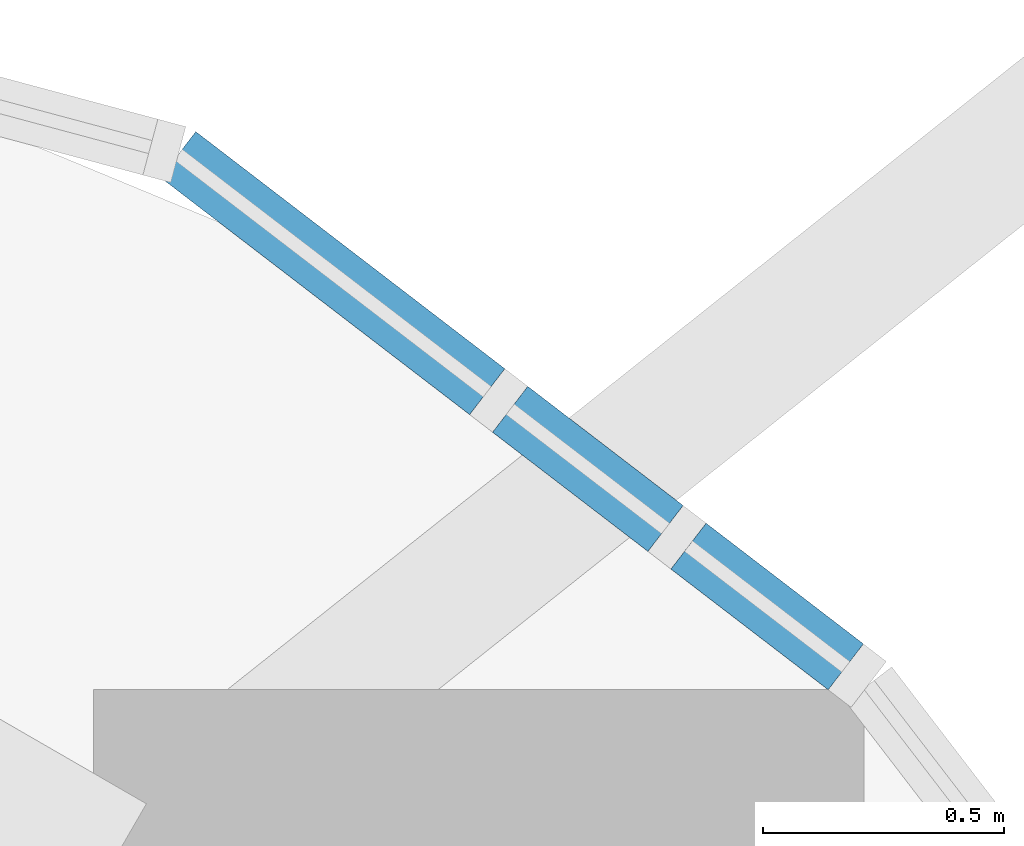
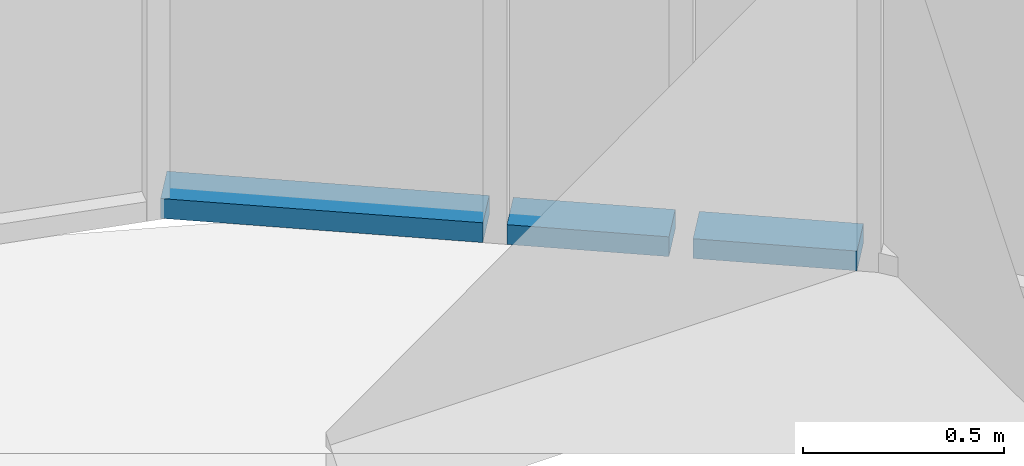
# One storey, part 17 of 33: 3 members, 3 elements without a shape of their own.
"""IFC4 building model written with IfcOpenShell, lengths in metres."""

from ifc_helpers import new_model, si_unit, direction, frame, origin, origin_2d, place, context, subcontext, project, spatial, rectangle, extrude, material, layer, layer_set, material_profile, profile_set, type_object, element, aggregate, save


model = new_model("IFC4")

# Units and contexts
model_context = context("Model", 3, precision=1e-05, world=origin(), true_north=direction((0.0, 1.0)))
body_context = subcontext(model_context, "Body", "Model", "MODEL_VIEW")
ifc_project = project(units=[si_unit("LENGTHUNIT", "METRE"), si_unit("AREAUNIT", "SQUARE_METRE"), si_unit("VOLUMEUNIT", "CUBIC_METRE"), si_unit("PLANEANGLEUNIT", "RADIAN"), si_unit("MASSUNIT", "GRAM", prefix="KILO")], contexts=[model_context])

# Site, building, storey
site_placement = place(None, origin())
site = spatial("IfcSite", under=ifc_project, at=site_placement, CompositionType="ELEMENT")
building_placement = place(site_placement, origin())
building = spatial("IfcBuilding", under=site, at=building_placement, Name="Marenta Gate Hotel Tower", CompositionType="ELEMENT")
storey_placement = place(building_placement, frame((0.0, 0.0, 108.5)))
storey = spatial("IfcBuildingStorey", under=building, at=storey_placement, Name="L23", CompositionType="ELEMENT", Elevation=108.5)

# Curtain wall, member
ifc_material_1 = material(Name="Tinted insulated glass in bronze anodised frame", Category="glass")
ifc_layer = layer(ifc_material_1, 0.1201171875)
ifc_layer_set = layer_set([ifc_layer], Name="Tinted insulated glass in bronze anodised frame")
curtain_wall_type = type_object("IfcCurtainWallType", Name="Tower unitised curtain wall CW1", PredefinedType="NOTDEFINED", material=ifc_layer_set)
curtain_wall_1_placement = place(storey_placement, origin())
curtain_wall_1 = element("IfcCurtainWall", 1, at=curtain_wall_1_placement, inside=storey, type_object=curtain_wall_type, Name="CW1 run G22", PredefinedType="NOTDEFINED")
ifc_material_2 = material(Name="Bronze anodised aluminium", Category="aluminium")
ifc_material_profile = material_profile(ifc_material_2, rectangle(XDim=0.1201171875, YDim=0.06005859375, at=origin_2d()), Name="Transom CW1 60x120 bronze anodised aluminium")
ifc_profile_set = profile_set([ifc_material_profile], Name="Bronze anodised aluminium")
member_type = type_object("IfcMemberType", Name="Transom CW1 60x120 bronze anodised aluminium", PredefinedType="USERDEFINED", material=ifc_profile_set)
member_1_placement = place(storey_placement, frame((25.597900390625, 26.382080078125, 0.030029296875), z_axis=(-0.793482352244, 0.608593260459, 0.0), x_axis=(-0.608593260459, -0.793482352244, 0.0)))
member_1 = element("IfcMember", 2, at=member_1_placement, type_object=member_type, Name="CW1 transom 1.1", ObjectType="TRANSOM", PredefinedType="USERDEFINED", context=body_context, shape_type="SweptSolid", body=[
    extrude(rectangle(XDim=0.1201171875, YDim=0.06005859375, at=origin_2d()), origin(), (0.0, 0.0, 1.0), 0.411865234375),
])
aggregate(curtain_wall_1, [member_1])

curtain_wall_2_placement = place(storey_placement, origin())
curtain_wall_2 = element("IfcCurtainWall", 3, at=curtain_wall_2_placement, inside=storey, type_object=curtain_wall_type, Name="CW1 run G23", PredefinedType="NOTDEFINED")
member_2_placement = place(storey_placement, frame((25.223388671875, 26.66943359375, 0.030029296875), z_axis=(-0.793471096038, 0.608607935992, 0.0), x_axis=(-0.608607935992, -0.793471096038, 0.0)))
member_2 = element("IfcMember", 4, at=member_2_placement, type_object=member_type, Name="CW1 transom 1.1", ObjectType="TRANSOM", PredefinedType="USERDEFINED", context=body_context, shape_type="SweptSolid", body=[
    extrude(rectangle(XDim=0.1201171875, YDim=0.06005859375, at=origin_2d()), origin(), (0.0, 0.0, 1.0), 0.40673828125),
])
aggregate(curtain_wall_2, [member_2])

curtain_wall_3_placement = place(storey_placement, origin())
curtain_wall_3 = element("IfcCurtainWall", 5, at=curtain_wall_3_placement, inside=storey, type_object=curtain_wall_type, Name="CW1 run G24", PredefinedType="NOTDEFINED")
member_3_placement = place(storey_placement, frame((24.85302734375, 26.95361328125, 0.030029296875), z_axis=(-0.793397450201, 0.608703939542, 0.0), x_axis=(-0.608703939542, -0.793397450201, 0.0)))
member_3 = element("IfcMember", 6, at=member_3_placement, type_object=member_type, Name="CW1 transom 1.1", ObjectType="TRANSOM", PredefinedType="USERDEFINED", context=body_context, shape_type="SweptSolid", body=[
    extrude(rectangle(XDim=0.1201171875, YDim=0.06005859375, at=origin_2d()), origin(), (0.0, 0.0, 1.0), 0.80908203125),
])
aggregate(curtain_wall_3, [member_3])

save(model, "model.ifc")
